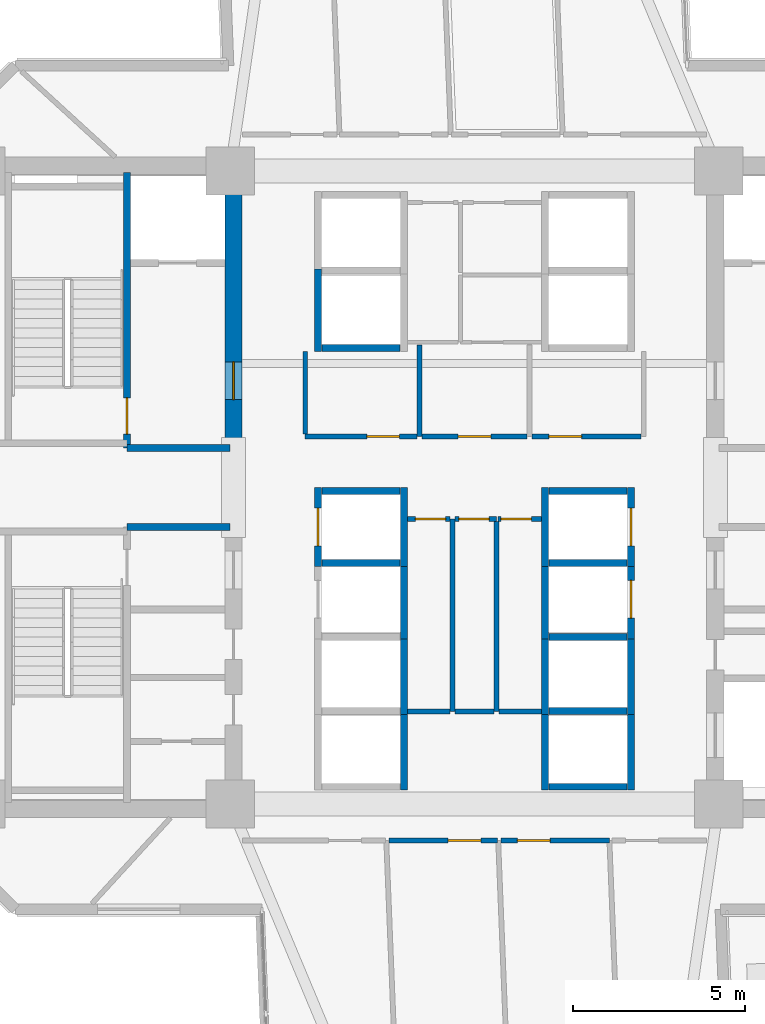
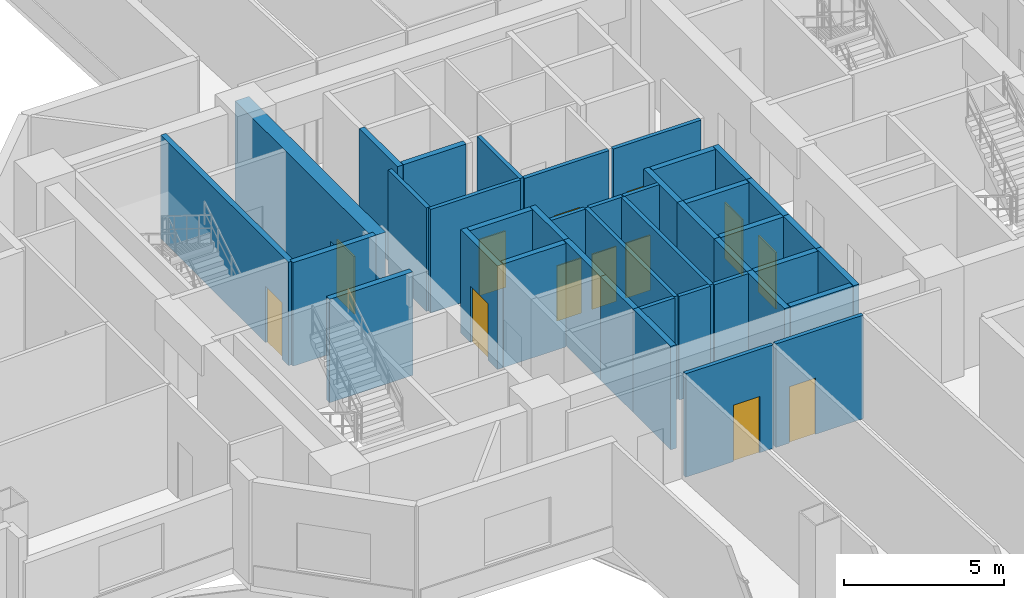
# One storey, part 7 of 16: 41 walls, 13 doors, 13 openings.
"""IFC4 building model written with IfcOpenShell, lengths in metres."""

from ifc_helpers import new_model, si_unit, direction, frame, frame_2d, origin, place, context, subcontext, project, spatial, rectangle, extrude, source, transform, mapped, material, layer, layer_set, type_object, element, fill, save


model = new_model("IFC4")

# Units and contexts
model_context = context("Model", 3, precision=1e-05, world=origin(), true_north=direction((0.0, 1.0)))
body_context = subcontext(model_context, "Body", "Model", "MODEL_VIEW")
ifc_project = project(units=[si_unit("LENGTHUNIT", "METRE"), si_unit("AREAUNIT", "SQUARE_METRE"), si_unit("VOLUMEUNIT", "CUBIC_METRE"), si_unit("PLANEANGLEUNIT", "RADIAN"), si_unit("MASSUNIT", "GRAM", prefix="KILO")], contexts=[model_context])

# Site, building, storey
site_placement = place(None, origin())
site = spatial("IfcSite", under=ifc_project, at=site_placement, CompositionType="ELEMENT")
building_placement = place(site_placement, origin())
building = spatial("IfcBuilding", under=site, at=building_placement, Name="Zahravan Cultural Tower", CompositionType="ELEMENT")
storey_placement = place(building_placement, frame((0.0, 0.0, 54.300048828125)))
storey = spatial("IfcBuildingStorey", under=building, at=storey_placement, Name="L11", CompositionType="ELEMENT", Elevation=54.300048828125)

# Wall, opening, door
ifc_material_1 = material(Name="Concrete C60/75", Category="concrete")
ifc_layer_1 = layer(ifc_material_1, 0.5)
ifc_layer_set_1 = layer_set([ifc_layer_1], Name="Concrete C60/75")
wall_type_1 = type_object("IfcWallType", Name="CW-SHEAR-500-C60", PredefinedType="SHEAR", material=ifc_layer_set_1)
wall_1_placement = place(storey_placement, frame((29.0, 28.050048828125, 0.0), z_axis=(0.0, 0.0, 1.0), x_axis=(0.0, 1.0, 0.0)))
wall_1 = element("IfcWall", 1, at=wall_1_placement, inside=storey, type_object=wall_type_1, Name="L11 Core Shear Wall CW-W-EN-L11", PredefinedType="SHEAR", context=body_context, shape_type="SweptSolid", body=[
    extrude(rectangle(XDim=8.550048828125, YDim=0.5, at=frame_2d((4.27490234375, 0.0))), origin(), (0.0, 0.0, 1.0), 3.949951171875),
])
opening_1_placement = place(wall_1_placement, frame((1.5, 0.0, 0.0)))
opening_1 = element("IfcOpeningElement", 2, at=opening_1_placement, cuts=wall_1, Name="Opening D-L11-05", PredefinedType="OPENING", context=body_context, shape_type="SweptSolid", body=[
    extrude(rectangle(XDim=1.10009765625, YDim=2.199951171875, at=frame_2d((0.550048828125, 1.10009765625))), frame((0.0, 0.260009765625, 0.0), z_axis=(0.0, -1.0, 0.0), x_axis=(1.0, 0.0, 0.0)), (0.0, 0.0, 1.0), 0.52001953125),
])
ifc_material_2 = material(Name="Steel ASTM A572 Grade 50", Category="steel")
door_type_1 = type_object("IfcDoorType", Name="DR-LOBBY-1100", OperationType="NOTDEFINED", PredefinedType="DOOR", material=ifc_material_2)
shared_shape_1 = source(origin(), body_context, "Body", "SweptSolid", [
    extrude(rectangle(XDim=1.10009765625, YDim=2.199951171875, at=frame_2d((0.550048828125, 1.10009765625))), frame((0.0, 0.02490234375, 0.0), z_axis=(0.0, -1.0, 0.0), x_axis=(1.0, 0.0, 0.0)), (0.0, 0.0, 1.0), 0.050048828125),
])
door_1_placement = place(opening_1_placement, origin())
door_1 = element("IfcDoor", 3, at=door_1_placement, inside=storey, type_object=door_type_1, Name="L11 Door D-L11-05", OperationType="SINGLE_SWING_LEFT", OverallHeight=2.199951171875, OverallWidth=1.10009765625, PredefinedType="DOOR", context=body_context, shape_type="MappedRepresentation", body=[
    mapped(shared_shape_1, transform((0.0, 0.0, 0.0), x_axis=(1.0, 0.0, 0.0), y_axis=(0.0, 1.0, 0.0), z_axis=(0.0, 0.0, 1.0), scale=1.0)),
])
fill(opening_1, door_1)

ifc_material_3 = material(Name="Gypsum plasterboard partition")
ifc_layer_2 = layer(ifc_material_3, 0.139892578125)
ifc_layer_set_2 = layer_set([ifc_layer_2], Name="Gypsum plasterboard partition")
wall_type_2 = type_object("IfcWallType", Name="W-PART-140", PredefinedType="PARTITIONING", material=ifc_layer_set_2)
wall_2_placement = place(storey_placement, frame((35.43505859375, 26.080078125, 0.0), z_axis=(0.0, 0.0, 1.0), x_axis=(1.0, 0.0, 0.0)))
wall_2 = element("IfcWall", 4, at=wall_2_placement, inside=storey, type_object=wall_type_2, Name="L11 Interior Wall 077", PredefinedType="PARTITIONING", context=body_context, shape_type="SweptSolid", body=[
    extrude(rectangle(XDim=1.204833984375, YDim=0.139892578125, at=frame_2d((0.6025390625, 0.0))), origin(), (0.0, 0.0, 1.0), 3.949951171875),
])
opening_2_placement = place(wall_2_placement, frame((0.11376953125, 0.0, 0.0)))
opening_2 = element("IfcOpeningElement", 5, at=opening_2_placement, cuts=wall_2, Name="Opening D-L11-16", PredefinedType="OPENING", context=body_context, shape_type="SweptSolid", body=[
    extrude(rectangle(XDim=0.8798828125, YDim=2.10009765625, at=frame_2d((0.43994140625, 1.050048828125))), frame((0.0, 0.079833984375, 0.0), z_axis=(0.0, -1.0, 0.0), x_axis=(1.0, 0.0, 0.0)), (0.0, 0.0, 1.0), 0.159912109375),
])
ifc_material_4 = material(Name="Anodised bronze-aluminium mullion", Category="aluminium")
door_type_2 = type_object("IfcDoorType", Name="DR-ROOM-880", OperationType="NOTDEFINED", PredefinedType="DOOR", material=ifc_material_4)
shared_shape_2 = source(origin(), body_context, "Body", "SweptSolid", [
    extrude(rectangle(XDim=0.8798828125, YDim=2.10009765625, at=frame_2d((0.43994140625, 1.050048828125))), frame((0.0, 0.02490234375, 0.0), z_axis=(0.0, -1.0, 0.0), x_axis=(1.0, 0.0, 0.0)), (0.0, 0.0, 1.0), 0.050048828125),
])
door_2_placement = place(opening_2_placement, origin())
door_2 = element("IfcDoor", 6, at=door_2_placement, inside=storey, type_object=door_type_2, Name="L11 Door D-L11-16", OperationType="SINGLE_SWING_RIGHT", OverallHeight=2.10009765625, OverallWidth=0.8798828125, PredefinedType="DOOR", context=body_context, shape_type="MappedRepresentation", body=[
    mapped(shared_shape_2, transform((0.0, 0.0, 0.0), x_axis=(1.0, 0.0, 0.0), y_axis=(0.0, 1.0, 0.0), z_axis=(0.0, 0.0, 1.0), scale=1.0)),
])
fill(opening_2, door_2)

wall_3_placement = place(storey_placement, frame((34.054931640625, 26.080078125, 0.0), z_axis=(0.0, 0.0, 1.0), x_axis=(1.0, 0.0, 0.0)))
wall_3 = element("IfcWall", 7, at=wall_3_placement, inside=storey, type_object=wall_type_2, Name="L11 Interior Wall 080", PredefinedType="PARTITIONING", context=body_context, shape_type="SweptSolid", body=[
    extrude(rectangle(XDim=1.22998046875, YDim=0.139892578125, at=frame_2d((0.614990234375, 0.0))), origin(), (0.0, 0.0, 1.0), 3.949951171875),
])
opening_3_placement = place(wall_3_placement, frame((0.2275390625, 0.0, 0.0)))
opening_3 = element("IfcOpeningElement", 8, at=opening_3_placement, cuts=wall_3, Name="Opening D-L11-15", PredefinedType="OPENING", context=body_context, shape_type="SweptSolid", body=[
    extrude(rectangle(XDim=0.8798828125, YDim=2.10009765625, at=frame_2d((0.43994140625, 1.050048828125))), frame((0.0, 0.079833984375, 0.0), z_axis=(0.0, -1.0, 0.0), x_axis=(1.0, 0.0, 0.0)), (0.0, 0.0, 1.0), 0.159912109375),
])
door_3_placement = place(opening_3_placement, origin())
door_3 = element("IfcDoor", 9, at=door_3_placement, inside=storey, type_object=door_type_2, Name="L11 Door D-L11-15", OperationType="SINGLE_SWING_LEFT", OverallHeight=2.10009765625, OverallWidth=0.8798828125, PredefinedType="DOOR", context=body_context, shape_type="MappedRepresentation", body=[
    mapped(shared_shape_2, transform((0.0, 0.0, 0.0), x_axis=(1.0, 0.0, 0.0), y_axis=(0.0, 1.0, 0.0), z_axis=(0.0, 0.0, 1.0), scale=1.0)),
])
fill(opening_3, door_3)

wall_4_placement = place(storey_placement, frame((36.679931640625, 26.080078125, 0.0), z_axis=(0.0, 0.0, 1.0), x_axis=(1.0, 0.0, 0.0)))
wall_4 = element("IfcWall", 10, at=wall_4_placement, inside=storey, type_object=wall_type_2, Name="L11 Interior Wall 082", PredefinedType="PARTITIONING", context=body_context, shape_type="SweptSolid", body=[
    extrude(rectangle(XDim=1.26513671875, YDim=0.139892578125, at=frame_2d((0.632568359375, 0.0))), origin(), (0.0, 0.0, 1.0), 3.949951171875),
])
opening_4_placement = place(wall_4_placement, frame((0.09033203125, 0.0, 0.0)))
opening_4 = element("IfcOpeningElement", 11, at=opening_4_placement, cuts=wall_4, Name="Opening D-L11-17", PredefinedType="OPENING", context=body_context, shape_type="SweptSolid", body=[
    extrude(rectangle(XDim=0.8798828125, YDim=2.10009765625, at=frame_2d((0.43994140625, 1.050048828125))), frame((0.0, 0.079833984375, 0.0), z_axis=(0.0, -1.0, 0.0), x_axis=(1.0, 0.0, 0.0)), (0.0, 0.0, 1.0), 0.159912109375),
])
door_4_placement = place(opening_4_placement, origin())
door_4 = element("IfcDoor", 12, at=door_4_placement, inside=storey, type_object=door_type_2, Name="L11 Door D-L11-17", OperationType="SINGLE_SWING_LEFT", OverallHeight=2.10009765625, OverallWidth=0.8798828125, PredefinedType="DOOR", context=body_context, shape_type="MappedRepresentation", body=[
    mapped(shared_shape_2, transform((0.0, 0.0, 0.0), x_axis=(1.0, 0.0, 0.0), y_axis=(0.0, 1.0, 0.0), z_axis=(0.0, 0.0, 1.0), scale=1.0)),
])
fill(opening_4, door_4)

wall_5_placement = place(storey_placement, frame((37.52490234375, 28.47998046875, 0.0), z_axis=(0.0, 0.0, 1.0), x_axis=(-1.0, 0.0, 0.0)))
wall_5 = element("IfcWall", 13, at=wall_5_placement, inside=storey, type_object=wall_type_2, Name="L11 Interior Wall 086", PredefinedType="PARTITIONING", context=body_context, shape_type="SweptSolid", body=[
    extrude(rectangle(XDim=3.0498046875, YDim=0.139892578125, at=frame_2d((1.52490234375, 0.0))), origin(), (0.0, 0.0, 1.0), 3.949951171875),
])
opening_5_placement = place(wall_5_placement, frame((1.050048828125, 0.0, 0.0)))
opening_5 = element("IfcOpeningElement", 14, at=opening_5_placement, cuts=wall_5, Name="Opening D-L11-19", PredefinedType="OPENING", context=body_context, shape_type="SweptSolid", body=[
    extrude(rectangle(XDim=0.949951171875, YDim=2.14990234375, at=frame_2d((0.47509765625, 1.074951171875))), frame((0.0, 0.079833984375, 0.0), z_axis=(0.0, -1.0, 0.0), x_axis=(1.0, 0.0, 0.0)), (0.0, 0.0, 1.0), 0.159912109375),
])
door_type_3 = type_object("IfcDoorType", Name="DR-ROOM-950", OperationType="NOTDEFINED", PredefinedType="DOOR", material=ifc_material_4)
shared_shape_3 = source(origin(), body_context, "Body", "SweptSolid", [
    extrude(rectangle(XDim=0.949951171875, YDim=2.14990234375, at=frame_2d((0.47509765625, 1.074951171875))), frame((0.0, 0.02490234375, 0.0), z_axis=(0.0, -1.0, 0.0), x_axis=(1.0, 0.0, 0.0)), (0.0, 0.0, 1.0), 0.050048828125),
])
door_5_placement = place(opening_5_placement, origin())
door_5 = element("IfcDoor", 15, at=door_5_placement, inside=storey, type_object=door_type_3, Name="L11 Door D-L11-19", OperationType="SINGLE_SWING_LEFT", OverallHeight=2.14990234375, OverallWidth=0.949951171875, PredefinedType="DOOR", context=body_context, shape_type="MappedRepresentation", body=[
    mapped(shared_shape_3, transform((0.0, 0.0, 0.0), x_axis=(1.0, 0.0, 0.0), y_axis=(0.0, 1.0, 0.0), z_axis=(0.0, 0.0, 1.0), scale=1.0)),
])
fill(opening_5, door_5)

wall_6_placement = place(storey_placement, frame((34.324951171875, 28.47998046875, 0.0), z_axis=(0.0, 0.0, 1.0), x_axis=(-1.0, 0.0, 0.0)))
wall_6 = element("IfcWall", 16, at=wall_6_placement, inside=storey, type_object=wall_type_2, Name="L11 Interior Wall 087", PredefinedType="PARTITIONING", context=body_context, shape_type="SweptSolid", body=[
    extrude(rectangle(XDim=3.244873046875, YDim=0.139892578125, at=frame_2d((1.62255859375, 0.0))), origin(), (0.0, 0.0, 1.0), 3.949951171875),
])
opening_6_placement = place(wall_6_placement, frame((0.5048828125, 0.0, 0.0)))
opening_6 = element("IfcOpeningElement", 17, at=opening_6_placement, cuts=wall_6, Name="Opening D-L11-18", PredefinedType="OPENING", context=body_context, shape_type="SweptSolid", body=[
    extrude(rectangle(XDim=0.949951171875, YDim=2.14990234375, at=frame_2d((0.47509765625, 1.074951171875))), frame((0.0, 0.079833984375, 0.0), z_axis=(0.0, -1.0, 0.0), x_axis=(1.0, 0.0, 0.0)), (0.0, 0.0, 1.0), 0.159912109375),
])
door_6_placement = place(opening_6_placement, origin())
door_6 = element("IfcDoor", 18, at=door_6_placement, inside=storey, type_object=door_type_3, Name="L11 Door D-L11-18", OperationType="SINGLE_SWING_RIGHT", OverallHeight=2.14990234375, OverallWidth=0.949951171875, PredefinedType="DOOR", context=body_context, shape_type="MappedRepresentation", body=[
    mapped(shared_shape_3, transform((0.0, 0.0, 0.0), x_axis=(1.0, 0.0, 0.0), y_axis=(0.0, 1.0, 0.0), z_axis=(0.0, 0.0, 1.0), scale=1.0)),
])
fill(opening_6, door_6)

wall_7_placement = place(storey_placement, frame((40.844970703125, 28.47998046875, 0.0), z_axis=(0.0, 0.0, 1.0), x_axis=(-1.0, 0.0, 0.0)))
wall_7 = element("IfcWall", 19, at=wall_7_placement, inside=storey, type_object=wall_type_2, Name="L11 Interior Wall 090", PredefinedType="PARTITIONING", context=body_context, shape_type="SweptSolid", body=[
    extrude(rectangle(XDim=3.169921875, YDim=0.139892578125, at=frame_2d((1.5849609375, 0.0))), origin(), (0.0, 0.0, 1.0), 3.949951171875),
])
opening_7_placement = place(wall_7_placement, frame((1.731689453125, 0.0, 0.0)))
opening_7 = element("IfcOpeningElement", 20, at=opening_7_placement, cuts=wall_7, Name="Opening D-L11-20", PredefinedType="OPENING", context=body_context, shape_type="SweptSolid", body=[
    extrude(rectangle(XDim=0.949951171875, YDim=2.14990234375, at=frame_2d((0.47509765625, 1.074951171875))), frame((0.0, 0.079833984375, 0.0), z_axis=(0.0, -1.0, 0.0), x_axis=(1.0, 0.0, 0.0)), (0.0, 0.0, 1.0), 0.159912109375),
])
door_7_placement = place(opening_7_placement, origin())
door_7 = element("IfcDoor", 21, at=door_7_placement, inside=storey, type_object=door_type_3, Name="L11 Door D-L11-20", OperationType="SINGLE_SWING_RIGHT", OverallHeight=2.14990234375, OverallWidth=0.949951171875, PredefinedType="DOOR", context=body_context, shape_type="MappedRepresentation", body=[
    mapped(shared_shape_3, transform((0.0, 0.0, 0.0), x_axis=(1.0, 0.0, 0.0), y_axis=(0.0, 1.0, 0.0), z_axis=(0.0, 0.0, 1.0), scale=1.0)),
])
fill(opening_7, door_7)

wall_8_placement = place(storey_placement, frame((36.763916015625, 16.739990234375, 0.0), z_axis=(0.0, 0.0, 1.0), x_axis=(1.0, 0.0, 0.0)))
wall_8 = element("IfcWall", 22, at=wall_8_placement, inside=storey, type_object=wall_type_2, Name="L11 Interior Wall 101", PredefinedType="PARTITIONING", context=body_context, shape_type="SweptSolid", body=[
    extrude(rectangle(XDim=3.157470703125, YDim=0.139892578125, at=frame_2d((1.57861328125, 0.0))), origin(), (0.0, 0.0, 1.0), 3.949951171875),
])
opening_8_placement = place(wall_8_placement, frame((0.485595703125, 0.0, 0.0)))
opening_8 = element("IfcOpeningElement", 23, at=opening_8_placement, cuts=wall_8, Name="Opening D-L11-33", PredefinedType="OPENING", context=body_context, shape_type="SweptSolid", body=[
    extrude(rectangle(XDim=0.949951171875, YDim=2.14990234375, at=frame_2d((0.47509765625, 1.074951171875))), frame((0.0, 0.079833984375, 0.0), z_axis=(0.0, -1.0, 0.0), x_axis=(1.0, 0.0, 0.0)), (0.0, 0.0, 1.0), 0.159912109375),
])
door_8_placement = place(opening_8_placement, origin())
door_8 = element("IfcDoor", 24, at=door_8_placement, inside=storey, type_object=door_type_3, Name="L11 Door D-L11-33", OperationType="SINGLE_SWING_LEFT", OverallHeight=2.14990234375, OverallWidth=0.949951171875, PredefinedType="DOOR", context=body_context, shape_type="MappedRepresentation", body=[
    mapped(shared_shape_3, transform((0.0, 0.0, 0.0), x_axis=(1.0, 0.0, 0.0), y_axis=(0.0, 1.0, 0.0), z_axis=(0.0, 0.0, 1.0), scale=1.0)),
])
fill(opening_8, door_8)

wall_9_placement = place(storey_placement, frame((33.51123046875, 16.739990234375, 0.0), z_axis=(0.0, 0.0, 1.0), x_axis=(1.0, 0.0, 0.0)))
wall_9 = element("IfcWall", 25, at=wall_9_placement, inside=storey, type_object=wall_type_2, Name="L11 Interior Wall 108", PredefinedType="PARTITIONING", context=body_context, shape_type="SweptSolid", body=[
    extrude(rectangle(XDim=3.157470703125, YDim=0.139892578125, at=frame_2d((1.57861328125, 0.0))), origin(), (0.0, 0.0, 1.0), 3.949951171875),
])
opening_9_placement = place(wall_9_placement, frame((1.7216796875, 0.0, 0.0)))
opening_9 = element("IfcOpeningElement", 26, at=opening_9_placement, cuts=wall_9, Name="Opening D-L11-32", PredefinedType="OPENING", context=body_context, shape_type="SweptSolid", body=[
    extrude(rectangle(XDim=0.949951171875, YDim=2.14990234375, at=frame_2d((0.47509765625, 1.074951171875))), frame((0.0, 0.079833984375, 0.0), z_axis=(0.0, -1.0, 0.0), x_axis=(1.0, 0.0, 0.0)), (0.0, 0.0, 1.0), 0.159912109375),
])
door_9_placement = place(opening_9_placement, origin())
door_9 = element("IfcDoor", 27, at=door_9_placement, inside=storey, type_object=door_type_3, Name="L11 Door D-L11-32", OperationType="SINGLE_SWING_RIGHT", OverallHeight=2.14990234375, OverallWidth=0.949951171875, PredefinedType="DOOR", context=body_context, shape_type="MappedRepresentation", body=[
    mapped(shared_shape_3, transform((0.0, 0.0, 0.0), x_axis=(1.0, 0.0, 0.0), y_axis=(0.0, 1.0, 0.0), z_axis=(0.0, 0.0, 1.0), scale=1.0)),
])
fill(opening_9, door_9)

ifc_material_5 = material(Name="Concrete C45/55", Category="concrete")
ifc_layer_3 = layer(ifc_material_5, 0.199951171875)
ifc_layer_set_3 = layer_set([ifc_layer_3], Name="Concrete C45/55")
wall_type_3 = type_object("IfcWallType", Name="W-SHAFT-200", PredefinedType="SOLIDWALL", material=ifc_layer_set_3)
wall_10_placement = place(storey_placement, frame((25.89990234375, 28.14990234375, 0.0), z_axis=(0.0, 0.0, 1.0), x_axis=(0.0, 1.0, 0.0)))
wall_10 = element("IfcWall", 28, at=wall_10_placement, inside=storey, type_object=wall_type_3, Name="L11 Interior Wall 006", PredefinedType="SOLIDWALL", context=body_context, shape_type="SweptSolid", body=[
    extrude(rectangle(XDim=8.0, YDim=0.199951171875, at=frame_2d((4.0, 0.0))), origin(), (0.0, 0.0, 1.0), 3.949951171875),
])
opening_10_placement = place(wall_10_placement, frame((0.39990234375, 0.0, 0.0)))
opening_10 = element("IfcOpeningElement", 29, at=opening_10_placement, cuts=wall_10, Name="Opening D-L11-01", PredefinedType="OPENING", context=body_context, shape_type="SweptSolid", body=[
    extrude(rectangle(XDim=1.050048828125, YDim=2.14990234375, at=frame_2d((0.52490234375, 1.074951171875))), frame((0.0, 0.10986328125, 0.0), z_axis=(0.0, -1.0, 0.0), x_axis=(1.0, 0.0, 0.0)), (0.0, 0.0, 1.0), 0.219970703125),
])
door_type_4 = type_object("IfcDoorType", Name="DR-STAIR-1050", OperationType="NOTDEFINED", PredefinedType="DOOR", material=ifc_material_2)
shared_shape_4 = source(origin(), body_context, "Body", "SweptSolid", [
    extrude(rectangle(XDim=1.050048828125, YDim=2.14990234375, at=frame_2d((0.52490234375, 1.074951171875))), frame((0.0, 0.02490234375, 0.0), z_axis=(0.0, -1.0, 0.0), x_axis=(1.0, 0.0, 0.0)), (0.0, 0.0, 1.0), 0.050048828125),
])
door_10_placement = place(opening_10_placement, origin())
door_10 = element("IfcDoor", 30, at=door_10_placement, inside=storey, type_object=door_type_4, Name="L11 Door D-L11-01", OperationType="SINGLE_SWING_LEFT", OverallHeight=2.14990234375, OverallWidth=1.050048828125, PredefinedType="DOOR", context=body_context, shape_type="MappedRepresentation", body=[
    mapped(shared_shape_4, transform((0.0, 0.0, 0.0), x_axis=(1.0, 0.0, 0.0), y_axis=(0.0, 1.0, 0.0), z_axis=(0.0, 0.0, 1.0), scale=1.0)),
])
fill(opening_10, door_10)

wall_11_placement = place(storey_placement, frame((31.449951171875, 24.699951171875, 0.0), z_axis=(0.0, 0.0, 1.0), x_axis=(0.0, 1.0, 0.0)))
wall_11 = element("IfcWall", 31, at=wall_11_placement, inside=storey, type_object=wall_type_3, Name="L11 Interior Wall 057", PredefinedType="SOLIDWALL", context=body_context, shape_type="SweptSolid", body=[
    extrude(rectangle(XDim=2.300048828125, YDim=0.199951171875, at=frame_2d((1.14990234375, 0.0))), origin(), (0.0, 0.0, 1.0), 3.949951171875),
])
opening_11_placement = place(wall_11_placement, frame((0.60009765625, 0.0, 0.0)))
opening_11 = element("IfcOpeningElement", 32, at=opening_11_placement, cuts=wall_11, Name="Opening LD-L11-04", PredefinedType="OPENING", context=body_context, shape_type="SweptSolid", body=[
    extrude(rectangle(XDim=1.10009765625, YDim=2.14990234375, at=frame_2d((0.550048828125, 1.074951171875))), frame((0.0, 0.10986328125, 0.0), z_axis=(0.0, -1.0, 0.0), x_axis=(1.0, 0.0, 0.0)), (0.0, 0.0, 1.0), 0.219970703125),
])
door_type_5 = type_object("IfcDoorType", Name="DR-LIFT-1100", OperationType="DOUBLE_DOOR_SLIDING", PredefinedType="DOOR", material=ifc_material_2)
shared_shape_5 = source(origin(), body_context, "Body", "SweptSolid", [
    extrude(rectangle(XDim=1.10009765625, YDim=2.14990234375, at=frame_2d((0.550048828125, 1.074951171875))), frame((0.0, 0.02490234375, 0.0), z_axis=(0.0, -1.0, 0.0), x_axis=(1.0, 0.0, 0.0)), (0.0, 0.0, 1.0), 0.050048828125),
])
door_11_placement = place(opening_11_placement, origin())
door_11 = element("IfcDoor", 33, at=door_11_placement, inside=storey, type_object=door_type_5, Name="L11 Door LD-L11-04", OperationType="DOUBLE_DOOR_SLIDING", OverallHeight=2.14990234375, OverallWidth=1.10009765625, PredefinedType="DOOR", context=body_context, shape_type="MappedRepresentation", body=[
    mapped(shared_shape_5, transform((0.0, 0.0, 0.0), x_axis=(1.0, 0.0, 0.0), y_axis=(0.0, 1.0, 0.0), z_axis=(0.0, 0.0, 1.0), scale=1.0)),
])
fill(opening_11, door_11)

wall_12_placement = place(storey_placement, frame((40.550048828125, 24.699951171875, 0.0), z_axis=(0.0, 0.0, 1.0), x_axis=(0.0, 1.0, 0.0)))
wall_12 = element("IfcWall", 34, at=wall_12_placement, inside=storey, type_object=wall_type_3, Name="L11 Interior Wall 064", PredefinedType="SOLIDWALL", context=body_context, shape_type="SweptSolid", body=[
    extrude(rectangle(XDim=2.300048828125, YDim=0.199951171875, at=frame_2d((1.14990234375, 0.0))), origin(), (0.0, 0.0, 1.0), 3.949951171875),
])
opening_12_placement = place(wall_12_placement, frame((0.60009765625, 0.0, 0.0)))
opening_12 = element("IfcOpeningElement", 35, at=opening_12_placement, cuts=wall_12, Name="Opening LD-L11-06", PredefinedType="OPENING", context=body_context, shape_type="SweptSolid", body=[
    extrude(rectangle(XDim=1.10009765625, YDim=2.14990234375, at=frame_2d((0.550048828125, 1.074951171875))), frame((0.0, 0.10986328125, 0.0), z_axis=(0.0, -1.0, 0.0), x_axis=(1.0, 0.0, 0.0)), (0.0, 0.0, 1.0), 0.219970703125),
])
door_12_placement = place(opening_12_placement, origin())
door_12 = element("IfcDoor", 36, at=door_12_placement, inside=storey, type_object=door_type_5, Name="L11 Door LD-L11-06", OperationType="DOUBLE_DOOR_SLIDING", OverallHeight=2.14990234375, OverallWidth=1.10009765625, PredefinedType="DOOR", context=body_context, shape_type="MappedRepresentation", body=[
    mapped(shared_shape_5, transform((0.0, 0.0, 0.0), x_axis=(1.0, 0.0, 0.0), y_axis=(0.0, 1.0, 0.0), z_axis=(0.0, 0.0, 1.0), scale=1.0)),
])
fill(opening_12, door_12)

wall_13_placement = place(storey_placement, frame((40.550048828125, 22.60009765625, 0.0), z_axis=(0.0, 0.0, 1.0), x_axis=(0.0, 1.0, 0.0)))
wall_13 = element("IfcWall", 37, at=wall_13_placement, inside=storey, type_object=wall_type_3, Name="L11 Interior Wall 068", PredefinedType="SOLIDWALL", context=body_context, shape_type="SweptSolid", body=[
    extrude(rectangle(XDim=2.2998046875, YDim=0.199951171875, at=frame_2d((1.14990234375, 0.0))), origin(), (0.0, 0.0, 1.0), 3.949951171875),
])
opening_13_placement = place(wall_13_placement, frame((0.60009765625, 0.0, 0.0)))
opening_13 = element("IfcOpeningElement", 38, at=opening_13_placement, cuts=wall_13, Name="Opening LD-L11-07", PredefinedType="OPENING", context=body_context, shape_type="SweptSolid", body=[
    extrude(rectangle(XDim=1.10009765625, YDim=2.14990234375, at=frame_2d((0.550048828125, 1.074951171875))), frame((0.0, 0.10986328125, 0.0), z_axis=(0.0, -1.0, 0.0), x_axis=(1.0, 0.0, 0.0)), (0.0, 0.0, 1.0), 0.219970703125),
])
door_13_placement = place(opening_13_placement, origin())
door_13 = element("IfcDoor", 39, at=door_13_placement, inside=storey, type_object=door_type_5, Name="L11 Door LD-L11-07", OperationType="DOUBLE_DOOR_SLIDING", OverallHeight=2.14990234375, OverallWidth=1.10009765625, PredefinedType="DOOR", context=body_context, shape_type="MappedRepresentation", body=[
    mapped(shared_shape_5, transform((0.0, 0.0, 0.0), x_axis=(1.0, 0.0, 0.0), y_axis=(0.0, 1.0, 0.0), z_axis=(0.0, 0.0, 1.0), scale=1.0)),
])
fill(opening_13, door_13)

# Walls
shared_shape_6 = source(origin(), body_context, "Body", "SweptSolid", [
    extrude(rectangle(XDim=3.0, YDim=0.199951171875, at=frame_2d((1.5, 0.0))), origin(), (0.0, 0.0, 1.0), 3.949951171875),
])
for number, where, z_axis, x_axis, name in (
    (40, (25.89990234375, 25.85009765625, 0.0), (0.0, 0.0, 1.0), (1.0, 0.0, 0.0), "L11 Interior Wall 010"),
    (41, (25.89990234375, 28.14990234375, 0.0), (0.0, 0.0, 1.0), (1.0, 0.0, 0.0), "L11 Interior Wall 012"),
):
    element("IfcWall", number, at=place(storey_placement, frame(where, z_axis=z_axis, x_axis=x_axis)), inside=storey, type_object=wall_type_3, Name=name, PredefinedType="SOLIDWALL", context=body_context, shape_type="MappedRepresentation", body=[
        mapped(shared_shape_6, transform((0.0, 0.0, 0.0), x_axis=(1.0, 0.0, 0.0), y_axis=(0.0, 1.0, 0.0), z_axis=(0.0, 0.0, 1.0), scale=1.0)),
    ])
shared_shape_7 = source(origin(), body_context, "Body", "SweptSolid", [
    extrude(rectangle(XDim=2.400146484375, YDim=0.199951171875, at=frame_2d((1.2001953125, 0.0))), origin(), (0.0, 0.0, 1.0), 3.949951171875),
])
wall_14_placement = place(storey_placement, frame((31.449951171875, 30.949951171875, 0.0), z_axis=(0.0, 0.0, 1.0), x_axis=(0.0, 1.0, 0.0)))
element("IfcWall", 42, at=wall_14_placement, inside=storey, type_object=wall_type_3, Name="L11 Interior Wall 033", PredefinedType="SOLIDWALL", context=body_context, shape_type="MappedRepresentation", body=[
    mapped(shared_shape_7, transform((0.0, 0.0, 0.0), x_axis=(1.0, 0.0, 0.0), y_axis=(0.0, 1.0, 0.0), z_axis=(0.0, 0.0, 1.0), scale=1.0)),
])
shared_shape_8 = source(origin(), body_context, "Body", "SweptSolid", [
    extrude(rectangle(XDim=2.260009765625, YDim=0.199951171875, at=frame_2d((1.1298828125, 0.0))), origin(), (0.0, 0.0, 1.0), 3.949951171875),
])
for number, where, z_axis, x_axis, name in (
    (43, (31.570068359375, 31.050048828125, 0.0), (0.0, 0.0, 1.0), (1.0, 0.0, 0.0), "L11 Interior Wall 035"),
    (44, (38.169921875, 20.5, 0.0), (0.0, 0.0, 1.0), (1.0, 0.0, 0.0), "L11 Interior Wall 052"),
    (45, (38.169921875, 22.64990234375, 0.0), (0.0, 0.0, 1.0), (1.0, 0.0, 0.0), "L11 Interior Wall 053"),
    (46, (38.169921875, 18.300048828125, 0.0), (0.0, 0.0, 1.0), (1.0, 0.0, 0.0), "L11 Interior Wall 056"),
    (47, (31.570068359375, 24.800048828125, 0.0), (0.0, 0.0, 1.0), (1.0, 0.0, 0.0), "L11 Interior Wall 059"),
    (48, (31.570068359375, 26.89990234375, 0.0), (0.0, 0.0, 1.0), (1.0, 0.0, 0.0), "L11 Interior Wall 060"),
    (49, (38.169921875, 24.800048828125, 0.0), (0.0, 0.0, 1.0), (1.0, 0.0, 0.0), "L11 Interior Wall 065"),
    (50, (38.169921875, 26.89990234375, 0.0), (0.0, 0.0, 1.0), (1.0, 0.0, 0.0), "L11 Interior Wall 066"),
):
    element("IfcWall", number, at=place(storey_placement, frame(where, z_axis=z_axis, x_axis=x_axis)), inside=storey, type_object=wall_type_3, Name=name, PredefinedType="SOLIDWALL", context=body_context, shape_type="MappedRepresentation", body=[
        mapped(shared_shape_8, transform((0.0, 0.0, 0.0), x_axis=(1.0, 0.0, 0.0), y_axis=(0.0, 1.0, 0.0), z_axis=(0.0, 0.0, 1.0), scale=1.0)),
    ])
shared_shape_9 = source(origin(), body_context, "Body", "SweptSolid", [
    extrude(rectangle(XDim=2.35009765625, YDim=0.199951171875, at=frame_2d((1.175048828125, 0.0))), origin(), (0.0, 0.0, 1.0), 3.949951171875),
])
for number, where, z_axis, x_axis, name in (
    (51, (33.949951171875, 20.39990234375, 0.0), (0.0, 0.0, 1.0), (0.0, 1.0, 0.0), "L11 Interior Wall 044"),
    (52, (33.949951171875, 18.199951171875, 0.0), (0.0, 0.0, 1.0), (0.0, 1.0, 0.0), "L11 Interior Wall 048"),
    (53, (38.050048828125, 20.39990234375, 0.0), (0.0, 0.0, 1.0), (0.0, 1.0, 0.0), "L11 Interior Wall 050"),
    (54, (40.550048828125, 20.39990234375, 0.0), (0.0, 0.0, 1.0), (0.0, 1.0, 0.0), "L11 Interior Wall 051"),
    (55, (38.050048828125, 18.199951171875, 0.0), (0.0, 0.0, 1.0), (0.0, 1.0, 0.0), "L11 Interior Wall 054"),
    (56, (40.550048828125, 18.199951171875, 0.0), (0.0, 0.0, 1.0), (0.0, 1.0, 0.0), "L11 Interior Wall 055"),
):
    element("IfcWall", number, at=place(storey_placement, frame(where, z_axis=z_axis, x_axis=x_axis)), inside=storey, type_object=wall_type_3, Name=name, PredefinedType="SOLIDWALL", context=body_context, shape_type="MappedRepresentation", body=[
        mapped(shared_shape_9, transform((0.0, 0.0, 0.0), x_axis=(1.0, 0.0, 0.0), y_axis=(0.0, 1.0, 0.0), z_axis=(0.0, 0.0, 1.0), scale=1.0)),
    ])
shared_shape_10 = source(origin(), body_context, "Body", "SweptSolid", [
    extrude(rectangle(XDim=2.300048828125, YDim=0.199951171875, at=frame_2d((1.14990234375, 0.0))), origin(), (0.0, 0.0, 1.0), 3.949951171875),
])
for number, where, z_axis, x_axis, name in (
    (57, (33.949951171875, 24.699951171875, 0.0), (0.0, 0.0, 1.0), (0.0, 1.0, 0.0), "L11 Interior Wall 058"),
    (58, (38.050048828125, 24.699951171875, 0.0), (0.0, 0.0, 1.0), (0.0, 1.0, 0.0), "L11 Interior Wall 063"),
):
    element("IfcWall", number, at=place(storey_placement, frame(where, z_axis=z_axis, x_axis=x_axis)), inside=storey, type_object=wall_type_3, Name=name, PredefinedType="SOLIDWALL", context=body_context, shape_type="MappedRepresentation", body=[
        mapped(shared_shape_10, transform((0.0, 0.0, 0.0), x_axis=(1.0, 0.0, 0.0), y_axis=(0.0, 1.0, 0.0), z_axis=(0.0, 0.0, 1.0), scale=1.0)),
    ])
shared_shape_11 = source(origin(), body_context, "Body", "SweptSolid", [
    extrude(rectangle(XDim=2.2998046875, YDim=0.199951171875, at=frame_2d((1.14990234375, 0.0))), origin(), (0.0, 0.0, 1.0), 3.949951171875),
])
for number, where, z_axis, x_axis, name in (
    (59, (33.949951171875, 22.60009765625, 0.0), (0.0, 0.0, 1.0), (0.0, 1.0, 0.0), "L11 Interior Wall 062"),
    (60, (38.050048828125, 22.60009765625, 0.0), (0.0, 0.0, 1.0), (0.0, 1.0, 0.0), "L11 Interior Wall 067"),
):
    element("IfcWall", number, at=place(storey_placement, frame(where, z_axis=z_axis, x_axis=x_axis)), inside=storey, type_object=wall_type_3, Name=name, PredefinedType="SOLIDWALL", context=body_context, shape_type="MappedRepresentation", body=[
        mapped(shared_shape_11, transform((0.0, 0.0, 0.0), x_axis=(1.0, 0.0, 0.0), y_axis=(0.0, 1.0, 0.0), z_axis=(0.0, 0.0, 1.0), scale=1.0)),
    ])
shared_shape_12 = source(origin(), body_context, "Body", "SweptSolid", [
    extrude(rectangle(XDim=2.39501953125, YDim=0.139892578125, at=frame_2d((1.197509765625, 0.0))), origin(), (0.0, 0.0, 1.0), 3.949951171875),
])
wall_15_placement = place(storey_placement, frame((31.080078125, 28.554931640625, 0.0), z_axis=(0.0, 0.0, 1.0), x_axis=(0.0, 1.0, 0.0)))
element("IfcWall", 61, at=wall_15_placement, inside=storey, type_object=wall_type_2, Name="L11 Interior Wall 088", PredefinedType="PARTITIONING", context=body_context, shape_type="MappedRepresentation", body=[
    mapped(shared_shape_12, transform((0.0, 0.0, 0.0), x_axis=(1.0, 0.0, 0.0), y_axis=(0.0, 1.0, 0.0), z_axis=(0.0, 0.0, 1.0), scale=1.0)),
])
shared_shape_13 = source(origin(), body_context, "Body", "SweptSolid", [
    extrude(rectangle(XDim=5.590087890625, YDim=0.139892578125, at=frame_2d((2.794921875, 0.0))), origin(), (0.0, 0.0, 1.0), 3.949951171875),
])
wall_16_placement = place(storey_placement, frame((35.360107421875, 20.489990234375, 0.0), z_axis=(0.0, 0.0, 1.0), x_axis=(0.0, 1.0, 0.0)))
element("IfcWall", 62, at=wall_16_placement, inside=storey, type_object=wall_type_2, Name="L11 Interior Wall 076", PredefinedType="PARTITIONING", context=body_context, shape_type="MappedRepresentation", body=[
    mapped(shared_shape_13, transform((0.0, 0.0, 0.0), x_axis=(1.0, 0.0, 0.0), y_axis=(0.0, 1.0, 0.0), z_axis=(0.0, 0.0, 1.0), scale=1.0)),
])
shared_shape_14 = source(origin(), body_context, "Body", "SweptSolid", [
    extrude(rectangle(XDim=5.514892578125, YDim=0.139892578125, at=frame_2d((2.75732421875, 0.0))), origin(), (0.0, 0.0, 1.0), 3.949951171875),
])
wall_17_placement = place(storey_placement, frame((36.639892578125, 26.0048828125, 0.0), z_axis=(0.0, 0.0, 1.0), x_axis=(0.0, -1.0, 0.0)))
element("IfcWall", 63, at=wall_17_placement, inside=storey, type_object=wall_type_2, Name="L11 Interior Wall 078", PredefinedType="PARTITIONING", context=body_context, shape_type="MappedRepresentation", body=[
    mapped(shared_shape_14, transform((0.0, 0.0, 0.0), x_axis=(1.0, 0.0, 0.0), y_axis=(0.0, 1.0, 0.0), z_axis=(0.0, 0.0, 1.0), scale=1.0)),
])
shared_shape_15 = source(origin(), body_context, "Body", "SweptSolid", [
    extrude(rectangle(XDim=1.1298828125, YDim=0.139892578125, at=frame_2d((0.56494140625, 0.0))), origin(), (0.0, 0.0, 1.0), 3.949951171875),
])
wall_18_placement = place(storey_placement, frame((36.56494140625, 20.489990234375, 0.0), z_axis=(0.0, 0.0, 1.0), x_axis=(-1.0, 0.0, 0.0)))
element("IfcWall", 64, at=wall_18_placement, inside=storey, type_object=wall_type_2, Name="L11 Interior Wall 079", PredefinedType="PARTITIONING", context=body_context, shape_type="MappedRepresentation", body=[
    mapped(shared_shape_15, transform((0.0, 0.0, 0.0), x_axis=(1.0, 0.0, 0.0), y_axis=(0.0, 1.0, 0.0), z_axis=(0.0, 0.0, 1.0), scale=1.0)),
])
shared_shape_16 = source(origin(), body_context, "Body", "SweptSolid", [
    extrude(rectangle(XDim=1.22998046875, YDim=0.139892578125, at=frame_2d((0.614990234375, 0.0))), origin(), (0.0, 0.0, 1.0), 3.949951171875),
])
for number, where, z_axis, x_axis, name in (
    (65, (35.284912109375, 20.489990234375, 0.0), (0.0, 0.0, 1.0), (-1.0, 0.0, 0.0), "L11 Interior Wall 081"),
    (66, (37.945068359375, 20.489990234375, 0.0), (0.0, 0.0, 1.0), (-1.0, 0.0, 0.0), "L11 Interior Wall 083"),
):
    element("IfcWall", number, at=place(storey_placement, frame(where, z_axis=z_axis, x_axis=x_axis)), inside=storey, type_object=wall_type_2, Name=name, PredefinedType="PARTITIONING", context=body_context, shape_type="MappedRepresentation", body=[
        mapped(shared_shape_16, transform((0.0, 0.0, 0.0), x_axis=(1.0, 0.0, 0.0), y_axis=(0.0, 1.0, 0.0), z_axis=(0.0, 0.0, 1.0), scale=1.0)),
    ])
shared_shape_17 = source(origin(), body_context, "Body", "SweptSolid", [
    extrude(rectangle(XDim=2.659912109375, YDim=0.139892578125, at=frame_2d((1.330078125, 0.0))), origin(), (0.0, 0.0, 1.0), 3.949951171875),
])
wall_19_placement = place(storey_placement, frame((34.39990234375, 28.47998046875, 0.0), z_axis=(0.0, 0.0, 1.0), x_axis=(0.0, 1.0, 0.0)))
element("IfcWall", 67, at=wall_19_placement, inside=storey, type_object=wall_type_2, Name="L11 Interior Wall 084", PredefinedType="PARTITIONING", context=body_context, shape_type="MappedRepresentation", body=[
    mapped(shared_shape_17, transform((0.0, 0.0, 0.0), x_axis=(1.0, 0.0, 0.0), y_axis=(0.0, 1.0, 0.0), z_axis=(0.0, 0.0, 1.0), scale=1.0)),
])

save(model, "model.ifc")
